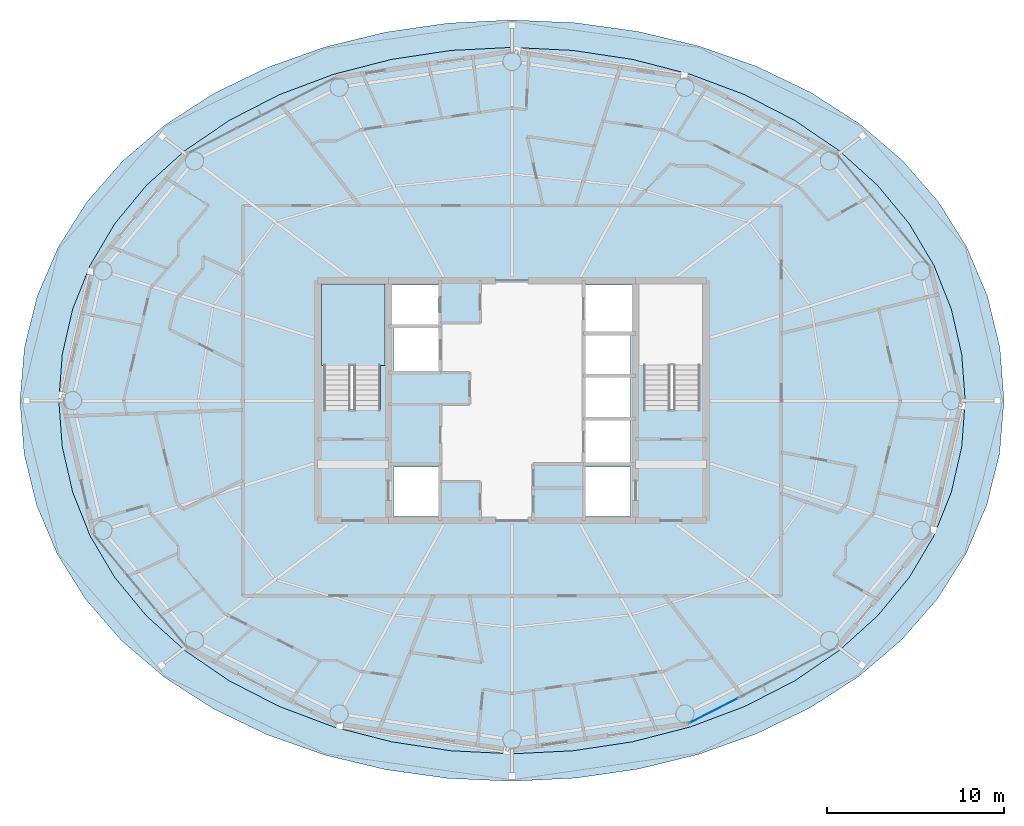
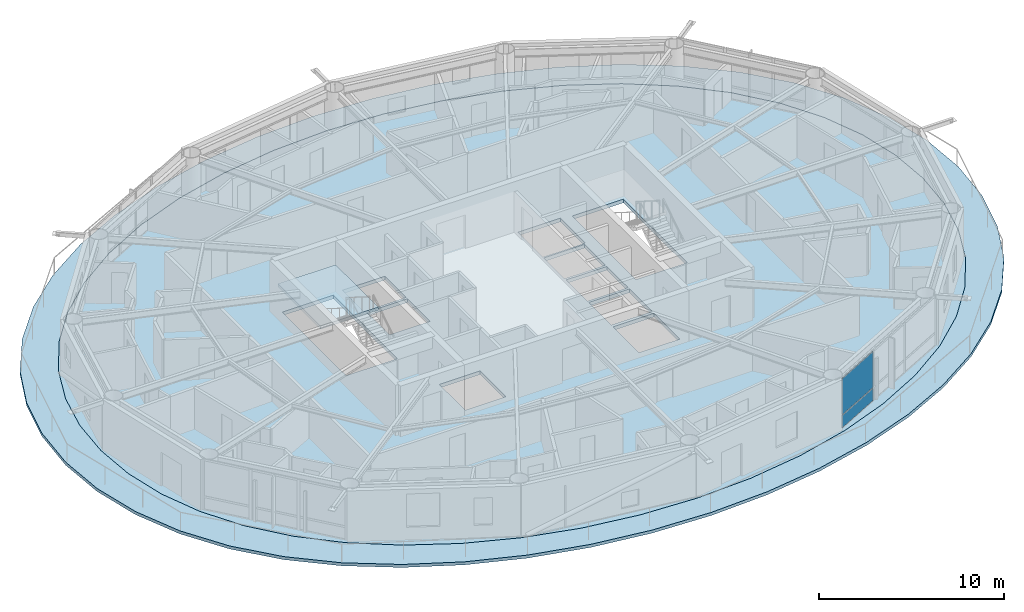
# One storey, part 13 of 23: 3 slabs, 2 plates, 2 elements without a shape of their own.
"""IFC4 building model written with IfcOpenShell, lengths in metres."""

import ifcopenshell
import ifcopenshell.guid

model = None  # the IFC model being written
_history = None  # IfcOwnerHistory: only IFC2X3 demands one
_inside = {}  # id of a spatial element -> (the spatial element, [elements in it])
_under = {}  # id of a project, library or spatial element -> (it, [spatial elements below it])
_declared = {}  # id of a project -> (the project, [libraries it declares])
_typed = {}  # id of a type object -> (the type object, [elements of that type])
_made_of = {}  # id of a material, layer set ... -> (it, [elements and type objects made of it])


def new_model(schema):
    """Start an empty IFC model of exactly this schema.

    Asked for "IFC4X3", IfcOpenShell would pick the latest addendum, in which some entities
    have other attributes; the version numbers below select the first issue.
    IFC2X3 requires an IfcOwnerHistory on every rooted entity: one is made here for all.
    """
    global model, _history
    if schema == "IFC4X3":
        model = ifcopenshell.file(schema_version=(4, 3, 0, 0))
    else:
        model = ifcopenshell.file(schema=schema)
    _inside.clear()
    _under.clear()
    _declared.clear()
    _typed.clear()
    _made_of.clear()
    _history = None
    if model.schema == "IFC2X3":
        org = make("IfcOrganization", Name="unknown")
        user = make(
            "IfcPersonAndOrganization",
            ThePerson=make("IfcPerson", FamilyName="unknown"),
            TheOrganization=org,
        )
        app = make(
            "IfcApplication",
            ApplicationDeveloper=org,
            Version="unknown",
            ApplicationFullName="unknown",
            ApplicationIdentifier="unknown",
        )
        _history = make(
            "IfcOwnerHistory",
            OwningUser=user,
            OwningApplication=app,
            ChangeAction="ADDED",
            CreationDate=0,
        )
    return model


def make(cls, **values):
    """One entity of the class cls with the attributes given. An attribute that is None is left unset."""
    return model.create_entity(
        cls, **{name: value for name, value in values.items() if value is not None}
    )


def rooted(cls, **values):
    """An entity with a GlobalId (a new one), such as an element, a storey or a relation."""
    return make(cls, GlobalId=ifcopenshell.guid.new(), OwnerHistory=_history, **values)


def si_unit(unit_type, name, prefix=None):
    """IfcSIUnit, for example si_unit("LENGTHUNIT", "METRE", prefix="MILLI")."""
    return make("IfcSIUnit", UnitType=unit_type, Prefix=prefix, Name=name)


def assignment(units):
    """IfcUnitAssignment: the units of a project."""
    return None if units is None else make("IfcUnitAssignment", Units=units)


def point(xyz):
    """IfcCartesianPoint."""
    return None if xyz is None else make("IfcCartesianPoint", Coordinates=xyz)


def direction(xyz):
    """IfcDirection."""
    return None if xyz is None else make("IfcDirection", DirectionRatios=xyz)


def frame(location, z_axis=None, x_axis=None):
    """IfcAxis2Placement3D, a coordinate frame: its origin and axes. An axis left out is left unset."""
    return make(
        "IfcAxis2Placement3D",
        Location=point(location),
        Axis=direction(z_axis),
        RefDirection=direction(x_axis),
    )


def frame_2d(location, x_axis=None):
    """IfcAxis2Placement2D, a coordinate frame in the plane: its origin and x axis."""
    return make(
        "IfcAxis2Placement2D", Location=point(location), RefDirection=direction(x_axis)
    )


def origin():
    """The frame at (0, 0, 0) with its axes left unset."""
    return frame((0.0, 0.0, 0.0))


def origin_2d():
    """The frame at (0, 0) in the plane with its x axis left unset."""
    return frame_2d((0.0, 0.0))


def place(relative_to, where):
    """IfcLocalPlacement: puts the frame where relative to a parent placement (None: the world)."""
    return make(
        "IfcLocalPlacement", PlacementRelTo=relative_to, RelativePlacement=where
    )


def context(
    kind, dimensions, precision=None, world=None, true_north=None, identifier=None
):
    """IfcGeometricRepresentationContext, for example the 3D "Model" context."""
    return make(
        "IfcGeometricRepresentationContext",
        ContextIdentifier=identifier,
        ContextType=kind,
        CoordinateSpaceDimension=dimensions,
        Precision=precision,
        WorldCoordinateSystem=world,
        TrueNorth=true_north,
    )


def subcontext(parent, identifier, kind, view, scale=None):
    """IfcGeometricRepresentationSubContext, for example "Body" below "Model"."""
    return make(
        "IfcGeometricRepresentationSubContext",
        ContextIdentifier=identifier,
        ContextType=kind,
        ParentContext=parent,
        TargetScale=scale,
        TargetView=view,
    )


def project(units=None, contexts=None):
    """IfcProject with its units and contexts."""
    return rooted(
        "IfcProject",
        Name="project",
        RepresentationContexts=contexts,
        UnitsInContext=assignment(units),
    )


def spatial(cls, under=None, at=None, **own):
    """A site, building, storey or space (cls), placed at a placement, below another one or the project."""
    s = rooted(cls, ObjectPlacement=at, **own)
    if under is not None:
        _under.setdefault(under.id(), (under, []))[1].append(s)
    return s


def polyline(points):
    """IfcPolyline through the points."""
    return make("IfcPolyline", Points=[point(p) for p in points])


def profile(cls, at=None, kind="AREA", **sizes):
    """A parametric profile (cls). Its sizes go by their IFC names, for example OverallWidth=200.0."""
    return make(cls, ProfileType=kind, Position=at, **sizes)


def rectangle(**sizes):
    """IfcRectangleProfileDef."""
    return profile("IfcRectangleProfileDef", **sizes)


def outline(outer, holes=None, kind="AREA"):
    """IfcArbitraryClosedProfileDef: a profile drawn as a closed curve; with holes, ...WithVoids."""
    if holes is None:
        return make("IfcArbitraryClosedProfileDef", ProfileType=kind, OuterCurve=outer)
    return make(
        "IfcArbitraryProfileDefWithVoids",
        ProfileType=kind,
        OuterCurve=outer,
        InnerCurves=holes,
    )


def extrude(swept, where, along, depth):
    """IfcExtrudedAreaSolid: the profile swept, set in the frame where, extruded along a direction by depth."""
    return make(
        "IfcExtrudedAreaSolid",
        SweptArea=swept,
        Position=where,
        ExtrudedDirection=direction(along),
        Depth=depth,
    )


def shape(context_of_items, identifier, shape_type, items):
    """IfcShapeRepresentation: the items that make up one representation, for example the "Body"."""
    return make(
        "IfcShapeRepresentation",
        ContextOfItems=context_of_items,
        RepresentationIdentifier=identifier,
        RepresentationType=shape_type,
        Items=items,
    )


def material(Name=None, Category=None):
    """IfcMaterial."""
    return make("IfcMaterial", Name=Name, Category=Category)


def layer(
    of_material, thickness, ventilated=None, Name=None, Category=None, Priority=None
):
    """IfcMaterialLayer: one layer of a wall or slab, of a material (None: an air gap)."""
    return make(
        "IfcMaterialLayer",
        Material=of_material,
        LayerThickness=thickness,
        IsVentilated=ventilated,
        Name=Name,
        Category=Category,
        Priority=Priority,
    )


def layer_set(layers, Name=None):
    """IfcMaterialLayerSet."""
    return make("IfcMaterialLayerSet", MaterialLayers=layers, LayerSetName=Name)


def made_of(thing, what):
    """Note that an element or type object is made of a material, layer set ...; save() writes the relation."""
    if what is not None:
        _made_of.setdefault(what.id(), (what, []))[1].append(thing)
    return thing


def type_object(cls, material=None, **own):
    """A type object (cls), such as IfcWallType, which elements share."""
    return made_of(rooted(cls, **own), material)


def element(
    cls,
    number,
    at=None,
    inside=None,
    cuts=None,
    type_object=None,
    material=None,
    context=None,
    identifier="Body",
    shape_type=None,
    held_by="IfcProductDefinitionShape",
    body=None,
    shapes=None,
    **own,
):
    """One element of the class cls, such as IfcWall. Its Tag is "e" and its number.

    at: its placement. inside: the storey or other place that contains it. cuts: it is an
    opening in that element (IfcRelVoidsElement). A single representation is given by context,
    identifier, shape_type and body (its items); several are given by shapes. held_by: the class
    of the entity that holds the representations. save() writes the other relations.
    """
    e = rooted(cls, Tag="e%d" % number, ObjectPlacement=at, **own)
    if body is not None:
        shapes = [shape(context, identifier, shape_type, body)]
    if shapes is not None:
        e.Representation = make(held_by, Representations=shapes)
    if inside is not None:
        _inside.setdefault(inside.id(), (inside, []))[1].append(e)
    if cuts is not None:
        rooted(
            "IfcRelVoidsElement", RelatingBuildingElement=cuts, RelatedOpeningElement=e
        )
    if type_object is not None:
        _typed.setdefault(type_object.id(), (type_object, []))[1].append(e)
    return made_of(e, material)


def aggregate(whole, parts):
    """IfcRelAggregates: a whole, such as a stair, and the parts it consists of."""
    return rooted("IfcRelAggregates", RelatingObject=whole, RelatedObjects=parts)


def save(model, path):
    """Write the relations noted so far, then the file.

    IfcRelAggregates (storeys below a building ...), IfcRelContainedInSpatialStructure (elements
    in a storey), IfcRelDefinesByType, IfcRelAssociatesMaterial and IfcRelDeclares: one each for
    every whole, place, type object, material and project.
    """
    for whole, parts in _under.values():
        aggregate(whole, parts)
    for where, things in _inside.values():
        rooted(
            "IfcRelContainedInSpatialStructure",
            RelatedElements=things,
            RelatingStructure=where,
        )
    for kind, things in _typed.values():
        rooted("IfcRelDefinesByType", RelatedObjects=things, RelatingType=kind)
    for what, things in _made_of.values():
        rooted("IfcRelAssociatesMaterial", RelatedObjects=things, RelatingMaterial=what)
    for by, libraries in _declared.values():
        rooted("IfcRelDeclares", RelatingContext=by, RelatedDefinitions=libraries)
    model.write(path)


model = new_model("IFC4")

# Units and contexts
model_context = context("Model", 3, precision=1e-05, world=origin(), true_north=direction((0.0, 1.0)))
body_context = subcontext(model_context, "Body", "Model", "MODEL_VIEW")
ifc_project = project(units=[si_unit("LENGTHUNIT", "METRE"), si_unit("AREAUNIT", "SQUARE_METRE"), si_unit("VOLUMEUNIT", "CUBIC_METRE"), si_unit("PLANEANGLEUNIT", "RADIAN"), si_unit("MASSUNIT", "GRAM", prefix="KILO")], contexts=[model_context])

# Site, building, storey
site_placement = place(None, origin())
site = spatial("IfcSite", under=ifc_project, at=site_placement, CompositionType="ELEMENT")
building_placement = place(site_placement, origin())
building = spatial("IfcBuilding", under=site, at=building_placement, Name="Sarneth Arch Tower", CompositionType="ELEMENT")
storey_placement = place(building_placement, frame((0.0, 0.0, 242.39990234375)))
storey = spatial("IfcBuildingStorey", under=building, at=storey_placement, Name="L62", CompositionType="ELEMENT", Elevation=242.39990234375)

# Curtain wall, plates
ifc_material_1 = material(Name="Anodised aluminium Type AA25 and solar-control low-e laminated IGU", Category="aluminium")
ifc_layer_1 = layer(ifc_material_1, 0.179931640625)
ifc_layer_set_1 = layer_set([ifc_layer_1], Name="Anodised aluminium Type AA25 and solar-control low-e laminated IGU")
curtain_wall_type = type_object("IfcCurtainWallType", Name="CW-RES-HIGH", PredefinedType="NOTDEFINED", material=ifc_layer_set_1)
curtain_wall_placement = place(storey_placement, origin())
curtain_wall = element("IfcCurtainWall", 1, at=curtain_wall_placement, inside=storey, type_object=curtain_wall_type, Name="L62 Unitised curtain wall facet 14", PredefinedType="NOTDEFINED")
ifc_material_2 = material(Name="Solar-control low-e laminated IGU", Category="glass")
ifc_layer_2 = layer(ifc_material_2, 0.028076171875)
ifc_layer_set_2 = layer_set([ifc_layer_2], Name="Solar-control low-e laminated IGU")
plate_type = type_object("IfcPlateType", Name="CW-PANEL", PredefinedType="CURTAIN_PANEL", material=ifc_layer_set_2)
plate_1_placement = place(storey_placement, frame((59.4208984375, 24.447021484375, 0.06005859375), z_axis=(0.0, 0.0, 1.0), x_axis=(0.890009540525, 0.455941901753, 0.0)))
plate_1 = element("IfcPlate", 2, at=plate_1_placement, type_object=plate_type, Name="Curtain wall glazed vision pane CW-L62-F14/P00-00", PredefinedType="CURTAIN_PANEL", context=body_context, shape_type="SweptSolid", body=[
    extrude(rectangle(XDim=3.044677734375, YDim=0.028076171875, at=origin_2d()), origin(), (0.0, 0.0, 1.0), 0.81005859375),
])
plate_2_placement = place(storey_placement, frame((59.4208984375, 24.447021484375, 0.929931640625), z_axis=(0.0, 0.0, 1.0), x_axis=(0.890009540525, 0.455941901753, 0.0)))
plate_2 = element("IfcPlate", 3, at=plate_2_placement, type_object=plate_type, Name="Curtain wall glazed vision pane CW-L62-F14/P00-01", PredefinedType="CURTAIN_PANEL", context=body_context, shape_type="SweptSolid", body=[
    extrude(rectangle(XDim=3.044677734375, YDim=0.028076171875, at=origin_2d()), origin(), (0.0, 0.0, 1.0), 2.3701171875),
])
aggregate(curtain_wall, [plate_1, plate_2])

# Slab
ifc_material_3 = material(Name="Concrete C50/60", Category="concrete")
ifc_layer_3 = layer(ifc_material_3, 0.199951171875)
ifc_layer_set_3 = layer_set([ifc_layer_3], Name="Concrete C50/60")
slab_type_1 = type_object("IfcSlabType", Name="SLAB-BALC-200", PredefinedType="FLOOR", material=ifc_layer_set_3)
slab_1_placement = place(storey_placement, frame((0.0, 0.0, -0.199951171875)))
element("IfcSlab", 4, at=slab_1_placement, inside=storey, type_object=slab_type_1, Name="L62 Helical balcony band slab", PredefinedType="FLOOR", context=body_context, shape_type="SweptSolid", body=[
    extrude(outline(polyline([(75.859130859375, 42.0), (75.6279296875, 44.99658203125), (74.920654296875, 47.91650390625), (73.750732421875, 50.690673828125), (72.136474609375, 53.264892578125), (70.103515625, 55.60009765625), (67.6845703125, 57.667724609375), (64.923583984375, 59.445556640625), (61.874267578125, 60.917724609375), (58.5966796875, 62.071533203125), (55.152587890625, 62.8984375), (51.601806640625, 63.392822265625), (48.0, 63.5517578125), (44.39990234375, 63.375244140625), (40.854248046875, 62.864990234375), (37.417724609375, 62.025634765625), (34.149169921875, 60.86376953125), (31.109375, 59.388916015625), (28.356201171875, 57.61328125), (25.9423828125, 55.55322265625), (23.909912109375, 53.228759765625), (22.291259765625, 50.667236328125), (21.111083984375, 47.905029296875), (20.389404296875, 44.99365234375), (20.140869140625, 42.0), (20.3720703125, 39.00341796875), (21.079345703125, 36.08349609375), (22.249267578125, 33.309326171875), (23.863525390625, 30.735107421875), (25.896484375, 28.39990234375), (28.3154296875, 26.332275390625), (31.076416015625, 24.554443359375), (34.125732421875, 23.082275390625), (37.4033203125, 21.928466796875), (40.847412109375, 21.1015625), (44.398193359375, 20.607177734375), (48.0, 20.4482421875), (51.60009765625, 20.624755859375), (55.145751953125, 21.135009765625), (58.582275390625, 21.974365234375), (61.850830078125, 23.13623046875), (64.890625, 24.611083984375), (67.643798828125, 26.38671875), (70.0576171875, 28.44677734375), (72.090087890625, 30.771240234375), (73.708740234375, 33.332763671875), (74.888916015625, 36.094970703125), (75.610595703125, 39.00634765625), (75.859130859375, 42.0)]), holes=[polyline([(73.660888671875, 42.0), (73.466064453125, 44.610595703125), (72.87890625, 47.17626953125), (71.892822265625, 49.653564453125), (70.5029296875, 52.0), (68.712158203125, 54.17529296875), (66.536865234375, 56.14208984375), (64.009521484375, 57.8671875), (61.177001953125, 59.320556640625), (58.0966796875, 60.4775390625), (54.83203125, 61.318603515625), (51.44580078125, 61.828857421875), (48.0, 62.0), (44.55419921875, 61.828857421875), (41.16796875, 61.318603515625), (37.9033203125, 60.4775390625), (34.822998046875, 59.320556640625), (31.990478515625, 57.8671875), (29.463134765625, 56.14208984375), (27.287841796875, 54.17529296875), (25.4970703125, 52.0), (24.107177734375, 49.653564453125), (23.12109375, 47.17626953125), (22.533935546875, 44.610595703125), (22.339111328125, 42.0), (22.533935546875, 39.389404296875), (23.12109375, 36.82373046875), (24.107177734375, 34.346435546875), (25.4970703125, 32.0), (27.287841796875, 29.82470703125), (29.463134765625, 27.85791015625), (31.990478515625, 26.1328125), (34.822998046875, 24.679443359375), (37.9033203125, 23.5224609375), (41.16796875, 22.681396484375), (44.55419921875, 22.171142578125), (48.0, 22.0), (51.44580078125, 22.171142578125), (54.83203125, 22.681396484375), (58.0966796875, 23.5224609375), (61.177001953125, 24.679443359375), (64.009521484375, 26.1328125), (66.536865234375, 27.85791015625), (68.712158203125, 29.82470703125), (70.5029296875, 32.0), (71.892822265625, 34.346435546875), (72.87890625, 36.82373046875), (73.466064453125, 39.389404296875), (73.660888671875, 42.0)])]), origin(), (0.0, 0.0, 1.0), 0.199951171875),
])

# Stair, slab
ifc_material_4 = material(Name="Concrete C50/60", Category="concrete")
stair_type = type_object("IfcStairType", Name="STAIR-CORE-RC", PredefinedType="HALF_TURN_STAIR", material=ifc_material_4)
stair_placement = place(storey_placement, origin())
stair = element("IfcStair", 5, at=stair_placement, inside=storey, type_object=stair_type, Name="L62 Core Exit Stair 1", PredefinedType="HALF_TURN_STAIR")
ifc_material_5 = material(Name="Concrete C50/60", Category="concrete")
ifc_layer_4 = layer(ifc_material_5, 0.199951171875)
ifc_layer_set_4 = layer_set([ifc_layer_4], Name="Concrete C50/60")
slab_type_2 = type_object("IfcSlabType", Name="SLAB-LANDING-200", PredefinedType="LANDING", material=ifc_layer_set_4)
slab_2_placement = place(storey_placement, frame((0.0, 0.0, 1.60009765625)))
slab_2 = element("IfcSlab", 6, at=slab_2_placement, type_object=slab_type_2, Name="ST-1 landing 1", PredefinedType="LANDING", context=body_context, shape_type="SweptSolid", body=[
    extrude(outline(polyline([(37.199951171875, 43.985107421875), (40.800048828125, 43.985107421875), (40.800048828125, 48.60009765625), (37.199951171875, 48.60009765625), (37.199951171875, 43.985107421875)])), origin(), (0.0, 0.0, 1.0), 0.199951171875),
])
aggregate(stair, [slab_2])

# Slab
ifc_material_6 = material(Name="Concrete C50/60", Category="concrete")
ifc_layer_5 = layer(ifc_material_6, 0.239990234375)
ifc_layer_set_5 = layer_set([ifc_layer_5], Name="Concrete C50/60")
slab_type_3 = type_object("IfcSlabType", Name="SLAB-TOWER-240", PredefinedType="FLOOR", material=ifc_layer_set_5)
slab_3_placement = place(storey_placement, frame((0.0, 0.0, -0.239990234375)))
element("IfcSlab", 7, at=slab_3_placement, inside=storey, type_object=slab_type_3, Name="L62 Elliptical floor slab", PredefinedType="FLOOR", context=body_context, shape_type="SweptSolid", body=[
    extrude(outline(polyline([(73.660888671875, 42.0), (73.466064453125, 44.610595703125), (72.87890625, 47.17626953125), (71.892822265625, 49.653564453125), (70.5029296875, 52.0), (68.712158203125, 54.17529296875), (66.536865234375, 56.14208984375), (64.009521484375, 57.8671875), (61.177001953125, 59.320556640625), (58.0966796875, 60.4775390625), (54.83203125, 61.318603515625), (51.44580078125, 61.828857421875), (48.0, 62.0), (44.55419921875, 61.828857421875), (41.16796875, 61.318603515625), (37.9033203125, 60.4775390625), (34.822998046875, 59.320556640625), (31.990478515625, 57.8671875), (29.463134765625, 56.14208984375), (27.287841796875, 54.17529296875), (25.4970703125, 52.0), (24.107177734375, 49.653564453125), (23.12109375, 47.17626953125), (22.533935546875, 44.610595703125), (22.339111328125, 42.0), (22.533935546875, 39.389404296875), (23.12109375, 36.82373046875), (24.107177734375, 34.346435546875), (25.4970703125, 32.0), (27.287841796875, 29.82470703125), (29.463134765625, 27.85791015625), (31.990478515625, 26.1328125), (34.822998046875, 24.679443359375), (37.9033203125, 23.5224609375), (41.16796875, 22.681396484375), (44.55419921875, 22.171142578125), (48.0, 22.0), (51.44580078125, 22.171142578125), (54.83203125, 22.681396484375), (58.0966796875, 23.5224609375), (61.177001953125, 24.679443359375), (64.009521484375, 26.1328125), (66.536865234375, 27.85791015625), (68.712158203125, 29.82470703125), (70.5029296875, 32.0), (71.892822265625, 34.346435546875), (72.87890625, 36.82373046875), (73.466064453125, 39.389404296875), (73.660888671875, 42.0)]), holes=[polyline([(37.35009765625, 41.489990234375), (40.550048828125, 41.489990234375), (40.550048828125, 48.39990234375), (37.35009765625, 48.39990234375), (37.35009765625, 41.489990234375)]), polyline([(55.449951171875, 41.489990234375), (58.64990234375, 41.489990234375), (58.64990234375, 48.39990234375), (55.449951171875, 48.39990234375), (55.449951171875, 41.489990234375)]), polyline([(41.199951171875, 46.25), (43.85009765625, 46.25), (43.85009765625, 48.550048828125), (41.199951171875, 48.550048828125), (41.199951171875, 46.25)]), polyline([(41.300048828125, 35.449951171875), (43.85009765625, 35.449951171875), (43.85009765625, 38.25), (41.300048828125, 38.25), (41.300048828125, 35.449951171875)]), polyline([(52.14990234375, 35.449951171875), (54.699951171875, 35.449951171875), (54.699951171875, 38.25), (52.14990234375, 38.25), (52.14990234375, 35.449951171875)]), polyline([(52.14990234375, 45.85009765625), (54.800048828125, 45.85009765625), (54.800048828125, 48.550048828125), (52.14990234375, 48.550048828125), (52.14990234375, 45.85009765625)]), polyline([(41.300048828125, 43.64990234375), (43.85009765625, 43.64990234375), (43.85009765625, 46.10009765625), (41.300048828125, 46.10009765625), (41.300048828125, 43.64990234375)]), polyline([(52.14990234375, 38.449951171875), (54.699951171875, 38.449951171875), (54.699951171875, 40.89990234375), (52.14990234375, 40.89990234375), (52.14990234375, 38.449951171875)]), polyline([(52.14990234375, 41.050048828125), (54.699951171875, 41.050048828125), (54.699951171875, 43.35009765625), (52.14990234375, 43.35009765625), (52.14990234375, 41.050048828125)]), polyline([(52.14990234375, 43.5), (54.699951171875, 43.5), (54.699951171875, 45.75), (52.14990234375, 45.75), (52.14990234375, 43.5)])]), origin(), (0.0, 0.0, 1.0), 0.239990234375),
])

save(model, "model.ifc")
